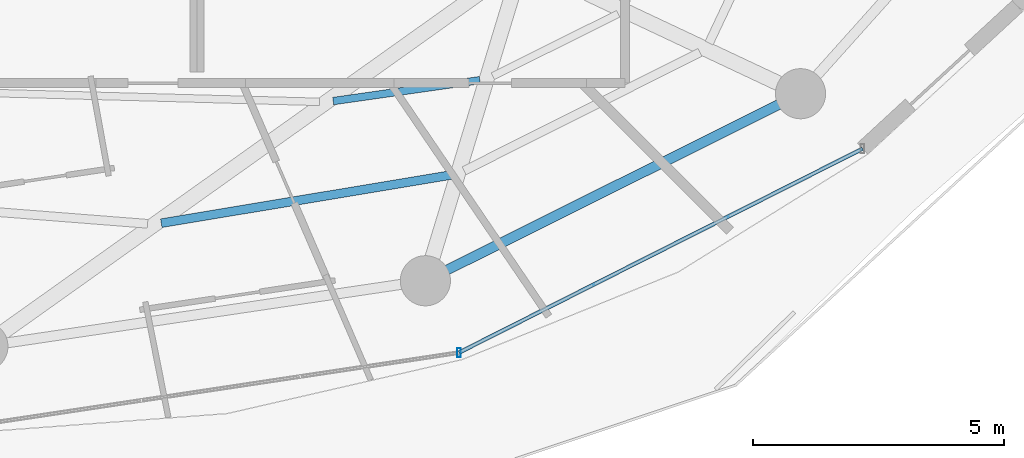
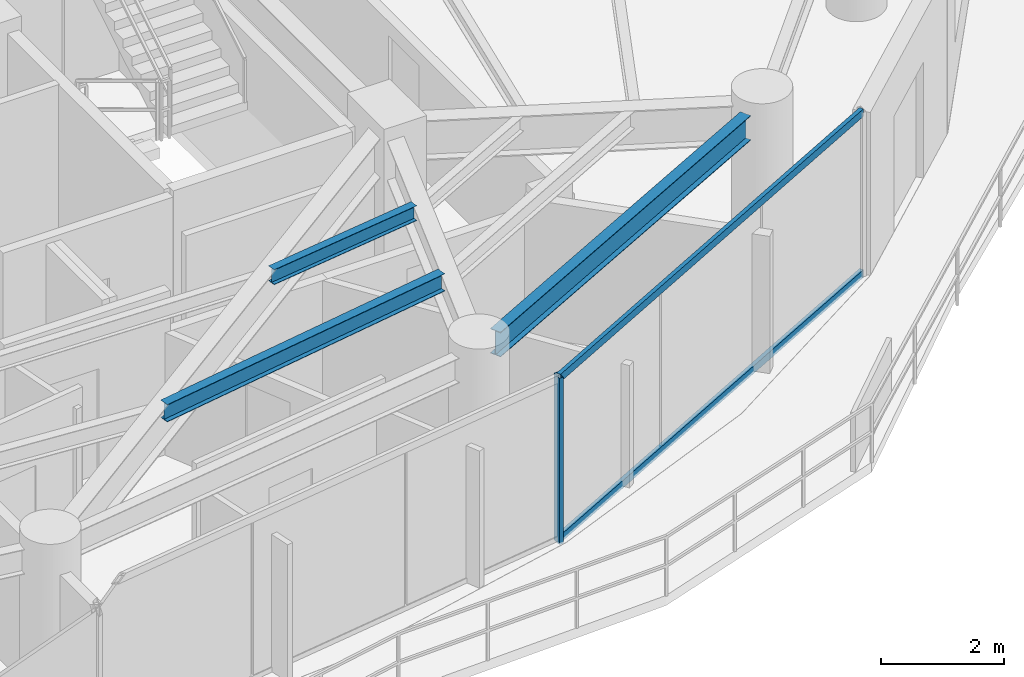
# One storey, part 11 of 31: 3 beams, 3 members, 1 element without a shape of its own.
"""IFC4 building model written with IfcOpenShell, lengths in metres."""

from ifc_helpers import new_model, si_unit, direction, frame, origin, origin_2d, place, context, subcontext, project, spatial, hollow_rectangle, i_section, extrude, material, material_profile, profile_set, type_object, element, aggregate, save


model = new_model("IFC4")

# Units and contexts
model_context = context("Model", 3, precision=1e-05, world=origin(), true_north=direction((0.0, 1.0)))
body_context = subcontext(model_context, "Body", "Model", "MODEL_VIEW")
ifc_project = project(units=[si_unit("LENGTHUNIT", "METRE"), si_unit("AREAUNIT", "SQUARE_METRE"), si_unit("VOLUMEUNIT", "CUBIC_METRE"), si_unit("PLANEANGLEUNIT", "RADIAN"), si_unit("MASSUNIT", "GRAM", prefix="KILO")], contexts=[model_context])

# Site, building, storey
site_placement = place(None, origin())
site = spatial("IfcSite", under=ifc_project, at=site_placement, CompositionType="ELEMENT")
building_placement = place(site_placement, origin())
building = spatial("IfcBuilding", under=site, at=building_placement, Name="Vorneva Point Tower", CompositionType="ELEMENT")
storey_placement = place(building_placement, frame((0.0, 0.0, 136.10009765625)))
storey = spatial("IfcBuildingStorey", under=building, at=storey_placement, Name="L36", CompositionType="ELEMENT", Elevation=136.10009765625)

# Beams
ifc_material_1 = material(Name="Steel S355", Category="steel")
ifc_material_profile_1 = material_profile(ifc_material_1, i_section(OverallWidth=0.14892578125, OverallDepth=0.298095703125, WebThickness=0.005615234375, FlangeThickness=0.008056640625, at=origin_2d()), Name="30B1")
ifc_profile_set_1 = profile_set([ifc_material_profile_1], Name="Steel S355")
beam_type_1 = type_object("IfcBeamType", Name="BM-JST-30B1", PredefinedType="JOIST", material=ifc_profile_set_1)
beam_1_placement = place(storey_placement, frame((44.982421875, 13.691162109375, 3.0908203125), z_axis=(0.989997374547, 0.1410857838, 0.0), x_axis=(-0.1410857838, 0.989997374547, 0.0)))
element("IfcBeam", 1, at=beam_1_placement, inside=storey, type_object=beam_type_1, Name="L36 Secondary Floor Beam 2.13", PredefinedType="JOIST", context=body_context, shape_type="SweptSolid", body=[
    extrude(i_section(OverallWidth=0.14892578125, OverallDepth=0.298095703125, WebThickness=0.005615234375, FlangeThickness=0.008056640625, at=origin_2d()), origin(), (0.0, 0.0, 1.0), 2.953857421875),
])
ifc_material_profile_2 = material_profile(ifc_material_1, i_section(OverallWidth=0.174072265625, OverallDepth=0.345947265625, WebThickness=0.006103515625, FlangeThickness=0.009033203125, at=origin_2d()), Name="35B1")
ifc_profile_set_2 = profile_set([ifc_material_profile_2], Name="Steel S355")
beam_type_2 = type_object("IfcBeamType", Name="BM-SEC-35B1", PredefinedType="BEAM", material=ifc_profile_set_2)
beam_2_placement = place(storey_placement, frame((41.556396484375, 11.256591796875, 3.06689453125), z_axis=(0.986432205362, 0.164169132986, 0.0), x_axis=(-0.164169132986, 0.986432205362, 0.0)))
element("IfcBeam", 2, at=beam_2_placement, inside=storey, type_object=beam_type_2, Name="L36 Secondary Floor Beam 1.13", PredefinedType="BEAM", context=body_context, shape_type="SweptSolid", body=[
    extrude(i_section(OverallWidth=0.174072265625, OverallDepth=0.345947265625, WebThickness=0.006103515625, FlangeThickness=0.009033203125, at=origin_2d()), origin(), (0.0, 0.0, 1.0), 5.856201171875),
])
ifc_material_profile_3 = material_profile(ifc_material_1, i_section(OverallWidth=0.199951171875, OverallDepth=0.491943359375, WebThickness=0.0087890625, FlangeThickness=0.011962890625, at=origin_2d()), Name="50B1")
ifc_profile_set_3 = profile_set([ifc_material_profile_3], Name="Steel S355")
beam_type_3 = type_object("IfcBeamType", Name="BM-SPN-50B1", PredefinedType="SPANDREL", material=ifc_profile_set_3)
beam_3_placement = place(storey_placement, frame((47.2548828125, 10.32568359375, 2.993896484375), z_axis=(0.894929061397, 0.446208443518, 0.0), x_axis=(-0.446208443518, 0.894929061397, 0.0)))
element("IfcBeam", 3, at=beam_3_placement, inside=storey, type_object=beam_type_3, Name="L36 Perimeter Spandrel Ring Beam 14", PredefinedType="SPANDREL", context=body_context, shape_type="SweptSolid", body=[
    extrude(i_section(OverallWidth=0.199951171875, OverallDepth=0.491943359375, WebThickness=0.0087890625, FlangeThickness=0.011962890625, at=origin_2d()), origin(), (0.0, 0.0, 1.0), 7.385986328125),
])

# Curtain wall, members
ifc_material_2 = material(Name="Pale anodised aluminium", Category="aluminium")
curtain_wall_type = type_object("IfcCurtainWallType", Name="CW-RES-SYS", PredefinedType="NOTDEFINED", material=ifc_material_2)
curtain_wall_placement = place(storey_placement, origin())
curtain_wall = element("IfcCurtainWall", 4, at=curtain_wall_placement, inside=storey, type_object=curtain_wall_type, Name="L36 Unitised Curtain Wall CW-L36-R04", PredefinedType="NOTDEFINED")
ifc_material_profile_4 = material_profile(ifc_material_2, hollow_rectangle(XDim=0.074951171875, YDim=0.179931640625, WallThickness=0.00390625, at=origin_2d()), Name="AL-MUL 180x75x4")
ifc_profile_set_4 = profile_set([ifc_material_profile_4], Name="Pale anodised aluminium")
member_type_1 = type_object("IfcMemberType", Name="CW-MUL-180", PredefinedType="MULLION", material=ifc_profile_set_4)
member_1_placement = place(storey_placement, frame((47.490478515625, 8.67724609375, -0.0400390625), z_axis=(0.0, 0.0, 1.0), x_axis=(1.0, 0.0, 0.0)))
member_1 = element("IfcMember", 5, at=member_1_placement, type_object=member_type_1, Name="CW-L36-R04 Mullion 04", PredefinedType="MULLION", context=body_context, shape_type="SweptSolid", body=[
    extrude(hollow_rectangle(XDim=0.074951171875, YDim=0.179931640625, WallThickness=0.00390625, at=origin_2d()), origin(), (0.0, 0.0, 1.0), 3.31005859375),
])
ifc_material_profile_5 = material_profile(ifc_material_2, hollow_rectangle(XDim=0.074951171875, YDim=0.14990234375, WallThickness=0.00390625, at=origin_2d()), Name="AL-TRN 150x75x4")
ifc_profile_set_5 = profile_set([ifc_material_profile_5], Name="Pale anodised aluminium")
member_type_2 = type_object("IfcMemberType", Name="CW-TRN-150", PredefinedType="USERDEFINED", material=ifc_profile_set_5)
member_2_placement = place(storey_placement, frame((47.490478515625, 8.67724609375, 0.02001953125), z_axis=(0.892572392955, 0.450904117673, 0.0), x_axis=(-0.450904117673, 0.892572392955, 0.0)))
member_2 = element("IfcMember", 6, at=member_2_placement, type_object=member_type_2, Name="CW-L36-R04 Transom 04.1", ObjectType="TRANSOM", PredefinedType="USERDEFINED", context=body_context, shape_type="SweptSolid", body=[
    extrude(hollow_rectangle(XDim=0.074951171875, YDim=0.14990234375, WallThickness=0.00390625, at=origin_2d()), origin(), (0.0, 0.0, 1.0), 9.013916015625),
])
member_3_placement = place(storey_placement, frame((47.490478515625, 8.67724609375, 3.219970703125), z_axis=(0.892572392955, 0.450904117673, 0.0), x_axis=(-0.450904117673, 0.892572392955, 0.0)))
member_3 = element("IfcMember", 7, at=member_3_placement, type_object=member_type_2, Name="CW-L36-R04 Transom 04.2", ObjectType="TRANSOM", PredefinedType="USERDEFINED", context=body_context, shape_type="SweptSolid", body=[
    extrude(hollow_rectangle(XDim=0.074951171875, YDim=0.14990234375, WallThickness=0.00390625, at=origin_2d()), origin(), (0.0, 0.0, 1.0), 9.013916015625),
])
aggregate(curtain_wall, [member_1, member_2, member_3])

save(model, "model.ifc")
